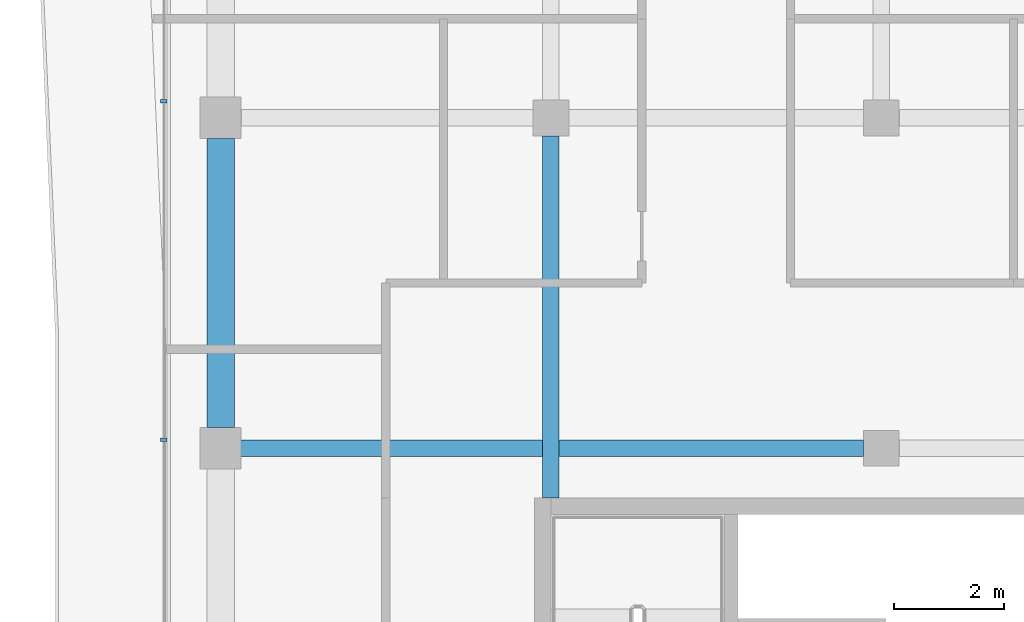
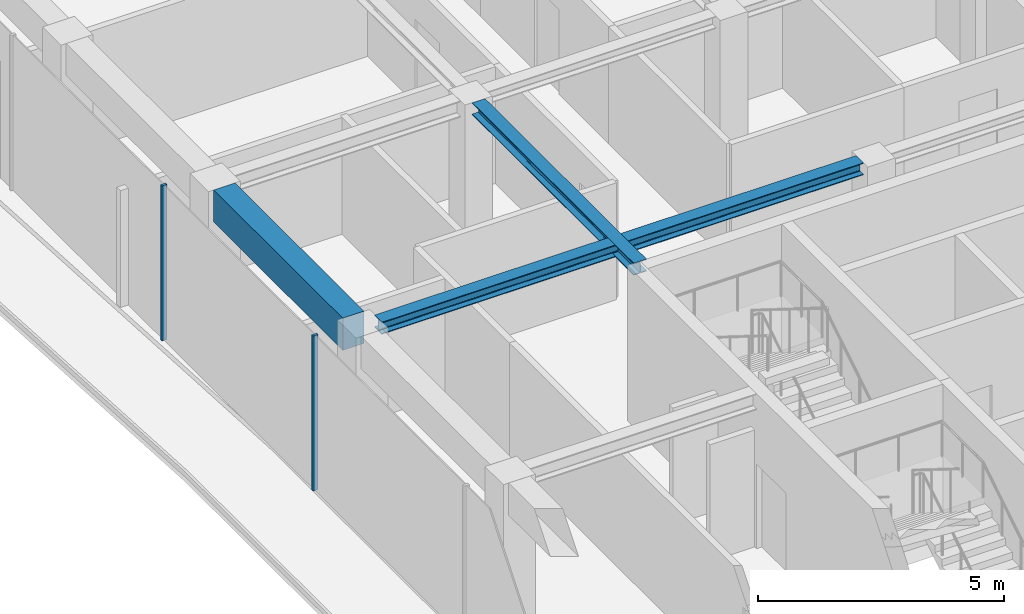
# One storey, part 6 of 20: 3 beams, 2 members, 1 element without a shape of its own.
"""IFC4 building model written with IfcOpenShell, lengths in metres."""

from ifc_helpers import new_model, si_unit, direction, frame, origin, origin_2d, place, context, subcontext, project, spatial, rectangle, i_section, extrude, material, layer, layer_set, material_profile, profile_set, type_object, element, aggregate, save


model = new_model("IFC4")

# Units and contexts
model_context = context("Model", 3, precision=1e-05, world=origin(), true_north=direction((0.0, 1.0)))
body_context = subcontext(model_context, "Body", "Model", "MODEL_VIEW")
ifc_project = project(units=[si_unit("LENGTHUNIT", "METRE"), si_unit("AREAUNIT", "SQUARE_METRE"), si_unit("VOLUMEUNIT", "CUBIC_METRE"), si_unit("PLANEANGLEUNIT", "RADIAN"), si_unit("MASSUNIT", "GRAM", prefix="KILO")], contexts=[model_context])

# Site, building, storey
site_placement = place(None, origin())
site = spatial("IfcSite", under=ifc_project, at=site_placement, CompositionType="ELEMENT")
building_placement = place(site_placement, origin())
building = spatial("IfcBuilding", under=site, at=building_placement, Name="Welwitschia Terrace Campus", CompositionType="ELEMENT")
storey_placement = place(building_placement, frame((0.0, 0.0, 297.800048828125)))
storey = spatial("IfcBuildingStorey", under=building, at=storey_placement, Name="L66", CompositionType="ELEMENT", Elevation=297.800048828125)

# Beams
ifc_material_1 = material(Name="Steel S355", Category="steel")
ifc_material_profile_1 = material_profile(ifc_material_1, i_section(OverallWidth=0.300048828125, OverallDepth=0.300048828125, WebThickness=0.010986328125, FlangeThickness=0.01904296875, FilletRadius=0.027099609375, at=origin_2d()))
ifc_profile_set_1 = profile_set([ifc_material_profile_1], Name="Steel S355")
beam_type_1 = type_object("IfcBeamType", Name="Interior girder HE 300 B", PredefinedType="BEAM", material=ifc_profile_set_1)
beam_1_placement = place(storey_placement, frame((0.365478515625, 26.0, 3.699951171875), z_axis=(1.0, 0.0, 0.0), x_axis=(0.0, 1.0, 0.0)))
element("IfcBeam", 1, at=beam_1_placement, inside=storey, type_object=beam_type_1, Name="Girder GB6", PredefinedType="BEAM", context=body_context, shape_type="SweptSolid", body=[
    extrude(i_section(OverallWidth=0.300048828125, OverallDepth=0.300048828125, WebThickness=0.010986328125, FlangeThickness=0.01904296875, FilletRadius=0.027099609375, at=origin_2d()), origin(), (0.0, 0.0, 1.0), 11.30908203125),
])
beam_2_placement = place(storey_placement, frame((6.0, 25.10107421875, 3.699951171875), z_axis=(0.0, 1.0, 0.0), x_axis=(-1.0, 0.0, 0.0)))
element("IfcBeam", 2, at=beam_2_placement, inside=storey, type_object=beam_type_1, Name="Girder GB6", PredefinedType="BEAM", context=body_context, shape_type="SweptSolid", body=[
    extrude(i_section(OverallWidth=0.300048828125, OverallDepth=0.300048828125, WebThickness=0.010986328125, FlangeThickness=0.01904296875, FilletRadius=0.027099609375, at=origin_2d()), origin(), (0.0, 0.0, 1.0), 6.573486328125),
])

# Curtain wall, members
ifc_material_2 = material(Name="Bronze anodised aluminium", Category="aluminium")
ifc_layer = layer(ifc_material_2, 0.1201171875)
ifc_layer_set = layer_set([ifc_layer], Name="Bronze anodised aluminium")
curtain_wall_type = type_object("IfcCurtainWallType", Name="Curtain wall CW2 tower 6000", PredefinedType="NOTDEFINED", material=ifc_layer_set)
curtain_wall_placement = place(storey_placement, origin())
curtain_wall = element("IfcCurtainWall", 3, at=curtain_wall_placement, inside=storey, type_object=curtain_wall_type, Name="CW L66.9.0", PredefinedType="NOTDEFINED")
ifc_material_3 = material(Name="Bronze anodised aluminium", Category="aluminium")
ifc_material_profile_2 = material_profile(ifc_material_3, rectangle(XDim=0.1201171875, YDim=0.06005859375, at=origin_2d()))
ifc_profile_set_2 = profile_set([ifc_material_profile_2], Name="Bronze anodised aluminium")
member_type = type_object("IfcMemberType", Name="Mullion 60x120", PredefinedType="MULLION", material=ifc_profile_set_2)
member_1_placement = place(storey_placement, frame((-1.030029296875, 32.3017578125, 0.0), z_axis=(0.0, 0.0, 1.0), x_axis=(1.0, 0.0, 0.0)))
member_1 = element("IfcMember", 4, at=member_1_placement, type_object=member_type, Name="Mullion L66.9.0.5", PredefinedType="MULLION", context=body_context, shape_type="SweptSolid", body=[
    extrude(rectangle(XDim=0.1201171875, YDim=0.06005859375, at=origin_2d()), origin(), (0.0, 0.0, 1.0), 3.849853515625),
])
member_2_placement = place(storey_placement, frame((-1.030029296875, 26.156005859375, 0.0), z_axis=(0.0, 0.0, 1.0), x_axis=(1.0, 0.0, 0.0)))
member_2 = element("IfcMember", 5, at=member_2_placement, type_object=member_type, Name="Mullion L66.9.0.6", PredefinedType="MULLION", context=body_context, shape_type="SweptSolid", body=[
    extrude(rectangle(XDim=0.1201171875, YDim=0.06005859375, at=origin_2d()), origin(), (0.0, 0.0, 1.0), 3.849853515625),
])
aggregate(curtain_wall, [member_1, member_2])

# Beam
ifc_material_4 = material(Name="Concrete C50/60", Category="concrete")
ifc_material_profile_3 = material_profile(ifc_material_4, rectangle(XDim=0.5, YDim=0.800048828125, at=origin_2d()))
ifc_profile_set_3 = profile_set([ifc_material_profile_3], Name="Concrete C50/60")
beam_type_2 = type_object("IfcBeamType", Name="Ring spandrel 500x800", PredefinedType="SPANDREL", material=ifc_profile_set_3)
beam_3_placement = place(storey_placement, frame((0.0, 31.62451171875, 3.449951171875), z_axis=(0.0, -1.0, 0.0), x_axis=(1.0, 0.0, 0.0)))
element("IfcBeam", 6, at=beam_3_placement, inside=storey, type_object=beam_type_2, Name="Spandrel SP4", PredefinedType="SPANDREL", context=body_context, shape_type="SweptSolid", body=[
    extrude(rectangle(XDim=0.5, YDim=0.800048828125, at=origin_2d()), origin(), (0.0, 0.0, 1.0), 5.2490234375),
])

save(model, "model.ifc")
